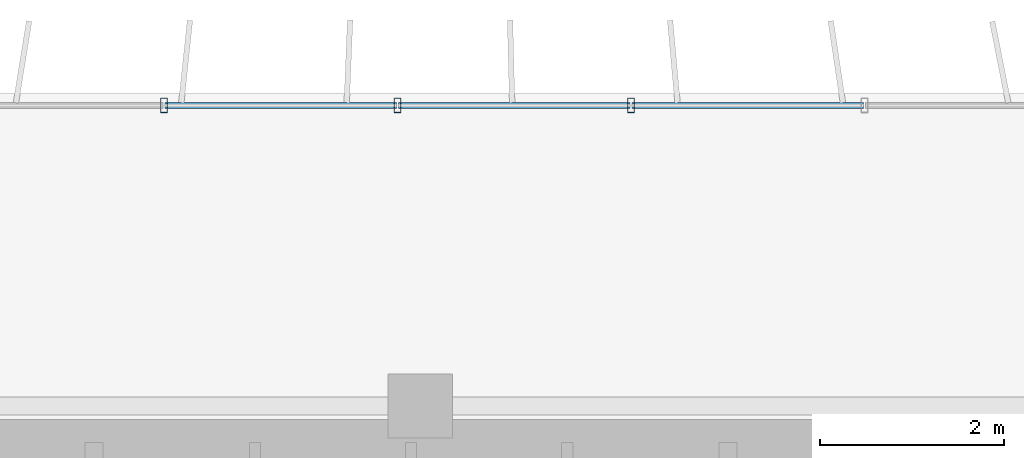
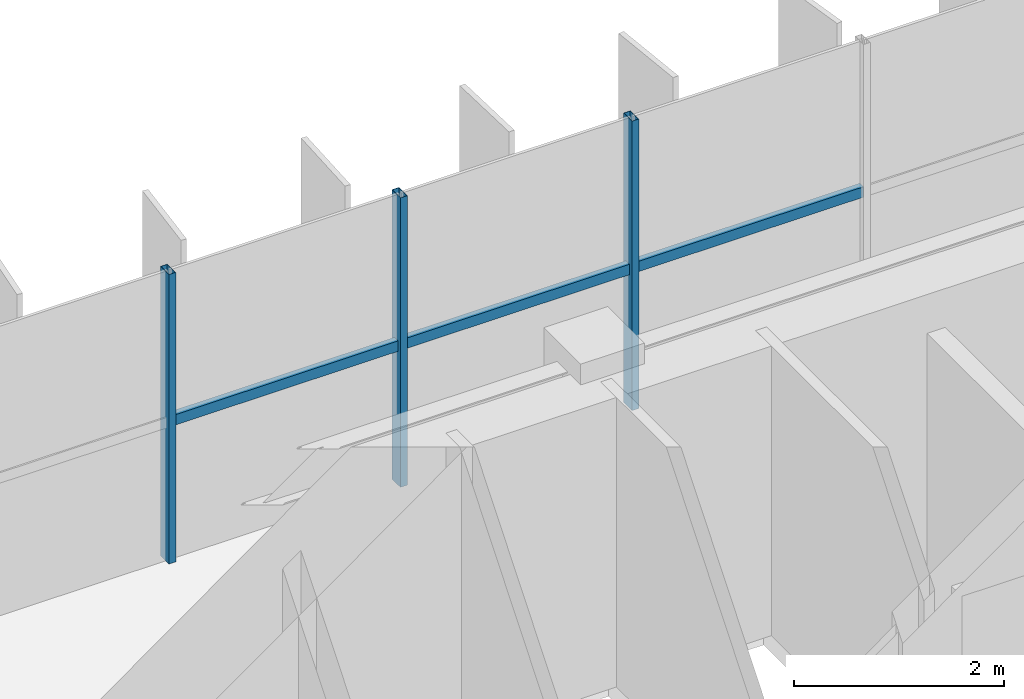
# One storey, part 11 of 23: 6 members, 1 element without a shape of its own.
"""IFC4 building model written with IfcOpenShell, lengths in metres."""

from ifc_helpers import new_model, si_unit, direction, frame, origin, origin_2d, place, context, subcontext, project, spatial, hollow_rectangle, extrude, source, transform, mapped, material, material_profile, profile_set, type_object, element, aggregate, save


model = new_model("IFC4")

# Units and contexts
model_context = context("Model", 3, precision=1e-05, world=origin(), true_north=direction((0.0, 1.0)))
body_context = subcontext(model_context, "Body", "Model", "MODEL_VIEW")
ifc_project = project(units=[si_unit("LENGTHUNIT", "METRE"), si_unit("AREAUNIT", "SQUARE_METRE"), si_unit("VOLUMEUNIT", "CUBIC_METRE"), si_unit("PLANEANGLEUNIT", "RADIAN"), si_unit("MASSUNIT", "GRAM", prefix="KILO")], contexts=[model_context])

# Site, building, storey
site_placement = place(None, origin())
site = spatial("IfcSite", under=ifc_project, at=site_placement, CompositionType="ELEMENT")
building_placement = place(site_placement, origin())
building = spatial("IfcBuilding", under=site, at=building_placement, Name="Trelvane Seafront Commons", CompositionType="ELEMENT")
storey_placement = place(building_placement, frame((0.0, 0.0, 219.300048828125)))
storey = spatial("IfcBuildingStorey", under=building, at=storey_placement, Name="L57", CompositionType="ELEMENT", Elevation=219.300048828125)

# Curtain wall, members
ifc_material = material(Name="Anodised pale-silver aluminium", Category="aluminium")
curtain_wall_type = type_object("IfcCurtainWallType", Name="ARCH-CW5-UPTOWER", PredefinedType="NOTDEFINED", material=ifc_material)
curtain_wall_placement = place(storey_placement, origin())
curtain_wall = element("IfcCurtainWall", 1, at=curtain_wall_placement, inside=storey, type_object=curtain_wall_type, Name="CW-L57-0100", PredefinedType="NOTDEFINED")
ifc_material_profile_1 = material_profile(ifc_material, hollow_rectangle(XDim=0.070068359375, YDim=0.1201171875, WallThickness=0.00390625, at=origin_2d()), Name="TRAN-70x120x4")
ifc_profile_set_1 = profile_set([ifc_material_profile_1], Name="Anodised pale-silver aluminium")
member_type_1 = type_object("IfcMemberType", Name="ARCH-CW-TRAN-120", PredefinedType="USERDEFINED", material=ifc_profile_set_1)
shared_shape_1 = source(origin(), body_context, "Body", "SweptSolid", [
    extrude(hollow_rectangle(XDim=0.070068359375, YDim=0.1201171875, WallThickness=0.00390625, at=origin_2d()), origin(), (0.0, 0.0, 1.0), 2.51708984375),
])
member_1_placement = place(storey_placement, frame((43.56494140625, 48.3701171875, 1.613037109375), z_axis=(1.0, 0.0, 0.0), x_axis=(0.0, 1.0, 0.0)))
member_1 = element("IfcMember", 2, at=member_1_placement, type_object=member_type_1, Name="CW-L57-0100-T11", ObjectType="TRANSOM", PredefinedType="USERDEFINED", context=body_context, shape_type="MappedRepresentation", body=[
    mapped(shared_shape_1, transform((0.0, 0.0, 0.0), x_axis=(1.0, 0.0, 0.0), y_axis=(0.0, 1.0, 0.0), z_axis=(0.0, 0.0, 1.0), scale=1.0)),
])
member_2_placement = place(storey_placement, frame((46.106201171875, 48.3701171875, 1.613037109375), z_axis=(1.0, 0.0, 0.0), x_axis=(0.0, 1.0, 0.0)))
member_2 = element("IfcMember", 3, at=member_2_placement, type_object=member_type_1, Name="CW-L57-0100-T12", ObjectType="TRANSOM", PredefinedType="USERDEFINED", context=body_context, shape_type="MappedRepresentation", body=[
    mapped(shared_shape_1, transform((0.0, 0.0, 0.0), x_axis=(1.0, 0.0, 0.0), y_axis=(0.0, 1.0, 0.0), z_axis=(0.0, 0.0, 1.0), scale=1.0)),
])
shared_shape_2 = source(origin(), body_context, "Body", "SweptSolid", [
    extrude(hollow_rectangle(XDim=0.070068359375, YDim=0.1201171875, WallThickness=0.00390625, at=origin_2d()), origin(), (0.0, 0.0, 1.0), 2.517333984375),
])
member_3_placement = place(storey_placement, frame((41.023681640625, 48.3701171875, 1.613037109375), z_axis=(1.0, 0.0, 0.0), x_axis=(0.0, 1.0, 0.0)))
member_3 = element("IfcMember", 4, at=member_3_placement, type_object=member_type_1, Name="CW-L57-0100-T10", ObjectType="TRANSOM", PredefinedType="USERDEFINED", context=body_context, shape_type="MappedRepresentation", body=[
    mapped(shared_shape_2, transform((0.0, 0.0, 0.0), x_axis=(1.0, 0.0, 0.0), y_axis=(0.0, 1.0, 0.0), z_axis=(0.0, 0.0, 1.0), scale=1.0)),
])
ifc_material_profile_2 = material_profile(ifc_material, hollow_rectangle(XDim=0.074951171875, YDim=0.159912109375, WallThickness=0.00390625, at=origin_2d()), Name="MULL-75x160x4")
ifc_profile_set_2 = profile_set([ifc_material_profile_2], Name="Anodised pale-silver aluminium")
member_type_2 = type_object("IfcMemberType", Name="ARCH-CW-MULL-160", PredefinedType="MULLION", material=ifc_profile_set_2)
shared_shape_3 = source(origin(), body_context, "Body", "SweptSolid", [
    extrude(hollow_rectangle(XDim=0.074951171875, YDim=0.159912109375, WallThickness=0.00390625, at=origin_2d()), origin(), (0.0, 0.0, 1.0), 3.35986328125),
])
member_4_placement = place(storey_placement, frame((41.01171875, 48.3701171875, 0.0), z_axis=(0.0, 0.0, 1.0), x_axis=(1.0, 0.0, 0.0)))
member_4 = element("IfcMember", 5, at=member_4_placement, type_object=member_type_2, Name="CW-L57-0100-M10", PredefinedType="MULLION", context=body_context, shape_type="MappedRepresentation", body=[
    mapped(shared_shape_3, transform((0.0, 0.0, 0.0), x_axis=(1.0, 0.0, 0.0), y_axis=(0.0, 1.0, 0.0), z_axis=(0.0, 0.0, 1.0), scale=1.0)),
])
member_5_placement = place(storey_placement, frame((43.552978515625, 48.3701171875, 0.0), z_axis=(0.0, 0.0, 1.0), x_axis=(1.0, 0.0, 0.0)))
member_5 = element("IfcMember", 6, at=member_5_placement, type_object=member_type_2, Name="CW-L57-0100-M11", PredefinedType="MULLION", context=body_context, shape_type="MappedRepresentation", body=[
    mapped(shared_shape_3, transform((0.0, 0.0, 0.0), x_axis=(1.0, 0.0, 0.0), y_axis=(0.0, 1.0, 0.0), z_axis=(0.0, 0.0, 1.0), scale=1.0)),
])
member_6_placement = place(storey_placement, frame((46.093994140625, 48.3701171875, 0.0), z_axis=(0.0, 0.0, 1.0), x_axis=(1.0, 0.0, 0.0)))
member_6 = element("IfcMember", 7, at=member_6_placement, type_object=member_type_2, Name="CW-L57-0100-M12", PredefinedType="MULLION", context=body_context, shape_type="MappedRepresentation", body=[
    mapped(shared_shape_3, transform((0.0, 0.0, 0.0), x_axis=(1.0, 0.0, 0.0), y_axis=(0.0, 1.0, 0.0), z_axis=(0.0, 0.0, 1.0), scale=1.0)),
])
aggregate(curtain_wall, [member_4, member_5, member_6, member_3, member_1, member_2])

save(model, "model.ifc")
